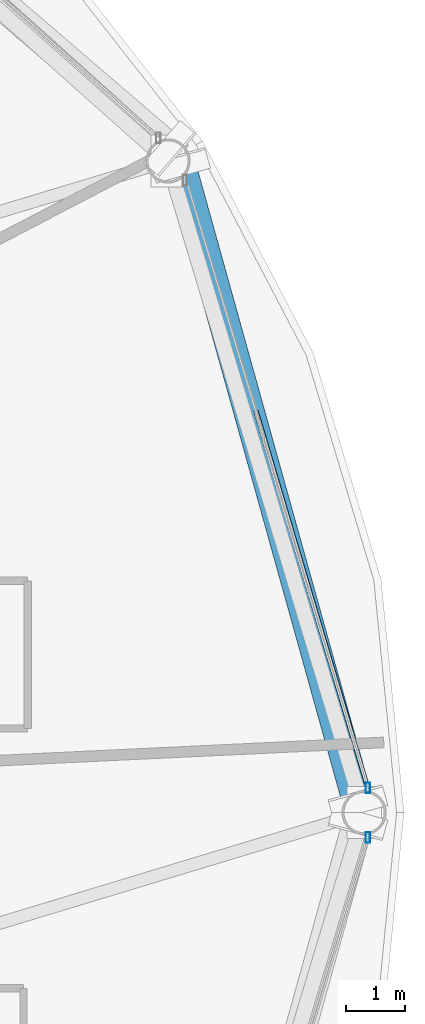
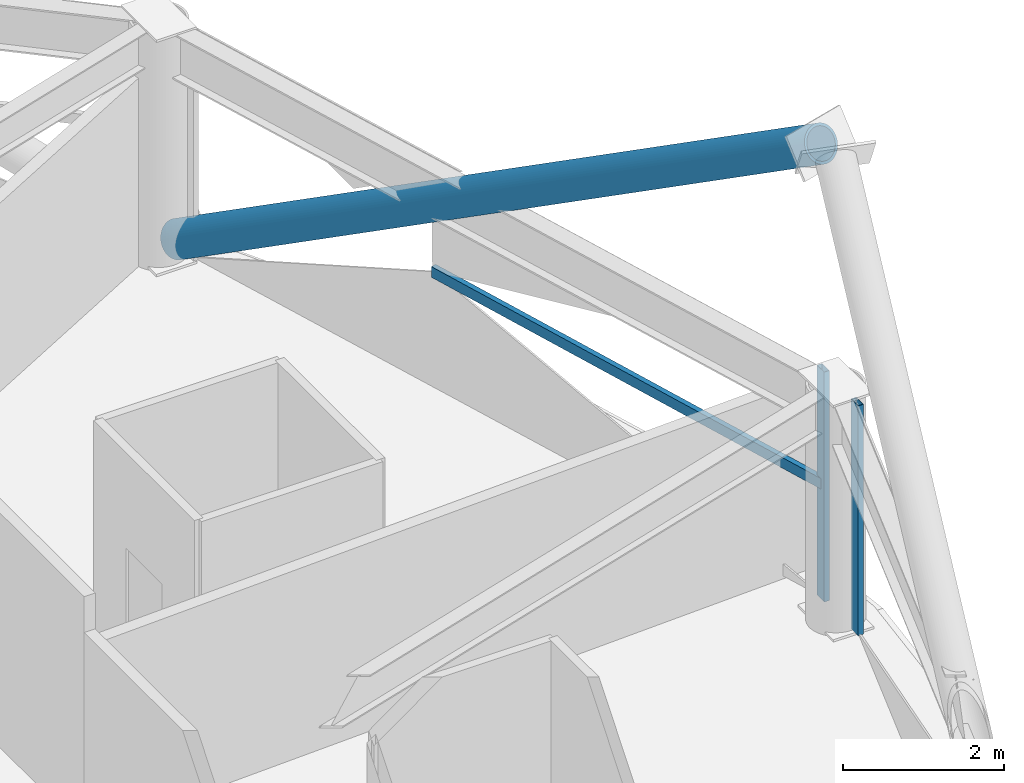
# One storey, part 12 of 29: 4 members, 2 elements without a shape of their own.
"""IFC4 building model written with IfcOpenShell, lengths in metres."""

from ifc_helpers import new_model, si_unit, direction, frame, origin, origin_2d, place, context, subcontext, project, spatial, hollow_rectangle, hollow_circle, extrude, material, layer, layer_set, material_profile, profile_set, type_object, element, aggregate, save


model = new_model("IFC4")

# Units and contexts
model_context = context("Model", 3, precision=1e-05, world=origin(), true_north=direction((0.0, 1.0)))
body_context = subcontext(model_context, "Body", "Model", "MODEL_VIEW")
ifc_project = project(units=[si_unit("LENGTHUNIT", "METRE"), si_unit("AREAUNIT", "SQUARE_METRE"), si_unit("VOLUMEUNIT", "CUBIC_METRE"), si_unit("PLANEANGLEUNIT", "RADIAN"), si_unit("MASSUNIT", "GRAM", prefix="KILO")], contexts=[model_context])

# Site, building, storey
site_placement = place(None, origin())
site = spatial("IfcSite", under=ifc_project, at=site_placement, CompositionType="ELEMENT")
building_placement = place(site_placement, origin())
building = spatial("IfcBuilding", under=site, at=building_placement, Name="Vantalir Tower", CompositionType="ELEMENT")
storey_placement = place(building_placement, frame((0.0, 0.0, 157.199951171875)))
storey = spatial("IfcBuildingStorey", under=building, at=storey_placement, Name="L39", CompositionType="ELEMENT", Elevation=157.199951171875)

# Curtain wall, member
ifc_material_1 = material(Name="Champagne-silver PVDF aluminium and double-silver Low-E glass", Category="aluminium")
ifc_layer = layer(ifc_material_1, 0.199951171875)
ifc_layer_set = layer_set([ifc_layer], Name="Champagne-silver PVDF aluminium and double-silver Low-E glass")
curtain_wall_type = type_object("IfcCurtainWallType", Name="CW-DIAMOND-Z2", PredefinedType="USERDEFINED", material=ifc_layer_set)
curtain_wall_1_placement = place(storey_placement, origin())
curtain_wall_1 = element("IfcCurtainWall", 1, at=curtain_wall_1_placement, inside=storey, type_object=curtain_wall_type, Name="L39 Quilted Pyramid-Diamond Curtain Wall S01", ObjectType="UNITISED CURTAIN WALL", PredefinedType="USERDEFINED")
ifc_material_2 = material(Name="Champagne-silver PVDF aluminium 6063-T6", Category="aluminium")
ifc_material_profile_1 = material_profile(ifc_material_2, hollow_rectangle(XDim=0.074951171875, YDim=0.179931640625, WallThickness=0.00390625, at=origin_2d()), Name="Champagne-silver PVDF aluminium 6063-T6")
ifc_profile_set_1 = profile_set([ifc_material_profile_1], Name="Champagne-silver PVDF aluminium 6063-T6")
member_type_1 = type_object("IfcMemberType", Name="CWM-180x75", PredefinedType="MULLION", material=ifc_profile_set_1)
member_1_placement = place(storey_placement, frame((56.345947265625, 25.4208984375, 0.045166015625), z_axis=(0.0, 0.0, 1.0), x_axis=(1.0, 0.0, 0.0)))
member_1 = element("IfcMember", 2, at=member_1_placement, type_object=member_type_1, Name="CW-L39-S01 Mullion 1", PredefinedType="MULLION", context=body_context, shape_type="SweptSolid", body=[
    extrude(hollow_rectangle(XDim=0.074951171875, YDim=0.179931640625, WallThickness=0.00390625, at=origin_2d()), origin(), (0.0, 0.0, 1.0), 3.47998046875),
])

curtain_wall_2_placement = place(storey_placement, origin())
curtain_wall_2 = element("IfcCurtainWall", 3, at=curtain_wall_2_placement, inside=storey, type_object=curtain_wall_type, Name="L39 Quilted Pyramid-Diamond Curtain Wall S12", ObjectType="UNITISED CURTAIN WALL", PredefinedType="USERDEFINED")
member_2_placement = place(storey_placement, frame((56.345947265625, 24.5791015625, 0.045166015625), z_axis=(0.0, 0.0, 1.0), x_axis=(1.0, 0.0, 0.0)))
member_2 = element("IfcMember", 4, at=member_2_placement, type_object=member_type_1, Name="CW-L39-S12 Mullion 2", PredefinedType="MULLION", context=body_context, shape_type="SweptSolid", body=[
    extrude(hollow_rectangle(XDim=0.074951171875, YDim=0.179931640625, WallThickness=0.00390625, at=origin_2d()), origin(), (0.0, 0.0, 1.0), 3.47998046875),
])
aggregate(curtain_wall_2, [member_2])

# Member
ifc_material_profile_2 = material_profile(ifc_material_2, hollow_rectangle(XDim=0.074951171875, YDim=0.159912109375, WallThickness=0.00390625, at=origin_2d()), Name="Champagne-silver PVDF aluminium 6063-T6")
ifc_profile_set_2 = profile_set([ifc_material_profile_2], Name="Champagne-silver PVDF aluminium 6063-T6")
member_type_2 = type_object("IfcMemberType", Name="CWT-160x75", PredefinedType="USERDEFINED", material=ifc_profile_set_2)
member_3_placement = place(storey_placement, frame((56.345947265625, 25.4208984375, 1.78515625), z_axis=(-0.284390360169, 0.958708570444, 0.0), x_axis=(-0.958708570444, -0.284390360169, 0.0)))
member_3 = element("IfcMember", 5, at=member_3_placement, type_object=member_type_2, Name="CW-L39-S01 Pyramid Fold Ridge Transom", ObjectType="TRANSOM", PredefinedType="USERDEFINED", context=body_context, shape_type="SweptSolid", body=[
    extrude(hollow_rectangle(XDim=0.074951171875, YDim=0.159912109375, WallThickness=0.00390625, at=origin_2d()), origin(), (0.0, 0.0, 1.0), 6.659912109375),
])

aggregate(curtain_wall_1, [member_1, member_3])

ifc_material_3 = material(Name="Steel S460", Category="steel")
ifc_material_profile_3 = material_profile(ifc_material_3, hollow_circle(Radius=0.260009765625, WallThickness=0.0380859375, at=origin_2d()), Name="Steel S460")
ifc_profile_set_3 = profile_set([ifc_material_profile_3], Name="Steel S460")
member_type_3 = type_object("IfcMemberType", Name="MEM-DB-520x38", PredefinedType="BRACE", material=ifc_profile_set_3)
member_4_placement = place(storey_placement, frame((53.177001953125, 35.948974609375, 0.196044921875), z_axis=(0.228035709133, -0.818842000151, 0.526780309188), x_axis=(0.963341859009, 0.26827683963, 0.0)))
element("IfcMember", 6, at=member_4_placement, inside=storey, type_object=member_type_3, Name="L39 Perimeter S460 Diagrid Brace R04R", PredefinedType="BRACE", context=body_context, shape_type="SweptSolid", body=[
    extrude(hollow_circle(Radius=0.260009765625, WallThickness=0.0380859375, at=origin_2d()), origin(), (0.0, 0.0, 1.0), 13.151611328125),
])

save(model, "model.ifc")
